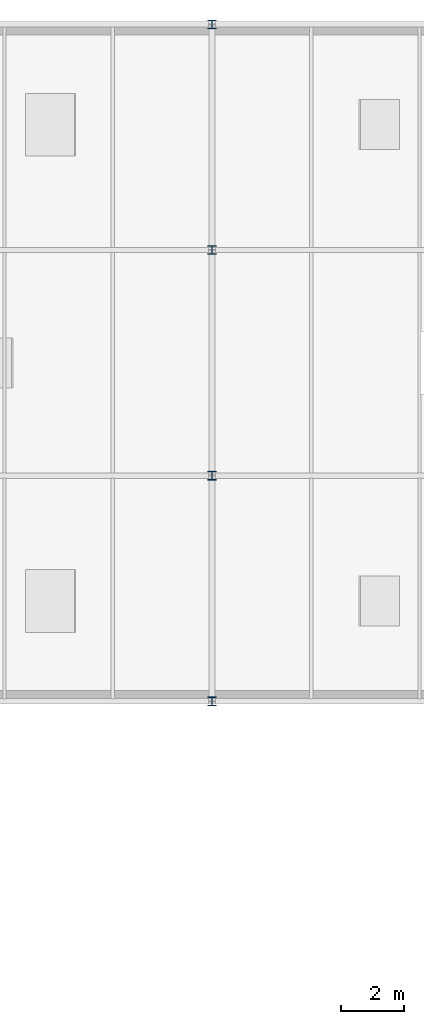
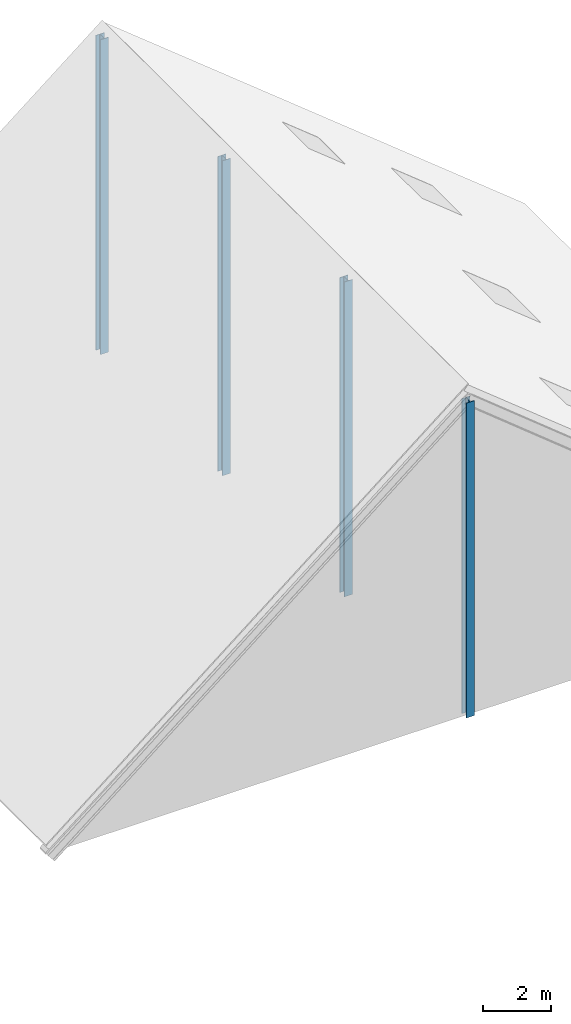
# One storey, part 6 of 35: 4 columns.
"""IFC4 building model written with IfcOpenShell, lengths in metres."""

from ifc_helpers import new_model, si_unit, direction, frame, origin, origin_2d, place, context, subcontext, project, spatial, i_section, extrude, material, material_profile, profile_set, type_object, element, save


model = new_model("IFC4")

# Units and contexts
model_context = context("Model", 3, precision=1e-05, world=origin(), true_north=direction((0.0, 1.0)))
body_context = subcontext(model_context, "Body", "Model", "MODEL_VIEW")
ifc_project = project(units=[si_unit("LENGTHUNIT", "METRE"), si_unit("AREAUNIT", "SQUARE_METRE"), si_unit("VOLUMEUNIT", "CUBIC_METRE"), si_unit("PLANEANGLEUNIT", "RADIAN"), si_unit("MASSUNIT", "GRAM", prefix="KILO")], contexts=[model_context])

# Site, building, storey
site_placement = place(None, origin())
site = spatial("IfcSite", under=ifc_project, at=site_placement, CompositionType="ELEMENT")
building_placement = place(site_placement, origin())
building = spatial("IfcBuilding", under=site, at=building_placement, Name="Zarrinpeak Specialist Clinic", CompositionType="ELEMENT")
storey_placement = place(building_placement, frame((0.0, 0.0, 31.60009765625)))
storey = spatial("IfcBuildingStorey", under=building, at=storey_placement, Name="RF", CompositionType="ELEMENT", Elevation=31.60009765625)

# Columns
ifc_material = material(Name="Steel S355", Category="steel")
ifc_material_profile = material_profile(ifc_material, i_section(OverallWidth=0.280029296875, OverallDepth=0.280029296875, WebThickness=0.010498046875, FlangeThickness=0.01806640625, FilletRadius=0.02392578125, at=origin_2d()), Name="HEB 280")
ifc_profile_set = profile_set([ifc_material_profile], Name="Steel S355")
column_type = type_object("IfcColumnType", Name="COL-HEB280", PredefinedType="COLUMN", material=ifc_profile_set)
for number, where, z_axis, x_axis, name in (
    (1, (50.39990234375, 96.39990234375, -4.400146484375), (0.0, 0.0, 1.0), (1.0, 0.0, 0.0), "RF Gable Ridge Column V6 Y=96.4"),
    (2, (50.39990234375, 103.60009765625, -4.400146484375), (0.0, 0.0, 1.0), (1.0, 0.0, 0.0), "RF Gable Ridge Column V6 Y=103.6"),
    (3, (50.39990234375, 110.800048828125, -4.400146484375), (0.0, 0.0, 1.0), (1.0, 0.0, 0.0), "RF Gable Ridge Column V6 Y=110.8"),
    (4, (50.39990234375, 118.0, -4.400146484375), (0.0, 0.0, 1.0), (1.0, 0.0, 0.0), "RF Gable Ridge Column V6 Y=118.0"),
):
    element("IfcColumn", number, at=place(storey_placement, frame(where, z_axis=z_axis, x_axis=x_axis)), inside=storey, type_object=column_type, Name=name, PredefinedType="COLUMN", context=body_context, shape_type="SweptSolid", body=[
        extrude(i_section(OverallWidth=0.280029296875, OverallDepth=0.280029296875, WebThickness=0.010498046875, FlangeThickness=0.01806640625, FilletRadius=0.02392578125, at=origin_2d()), origin(), (0.0, 0.0, 1.0), 11.35009765625),
    ])

save(model, "model.ifc")
